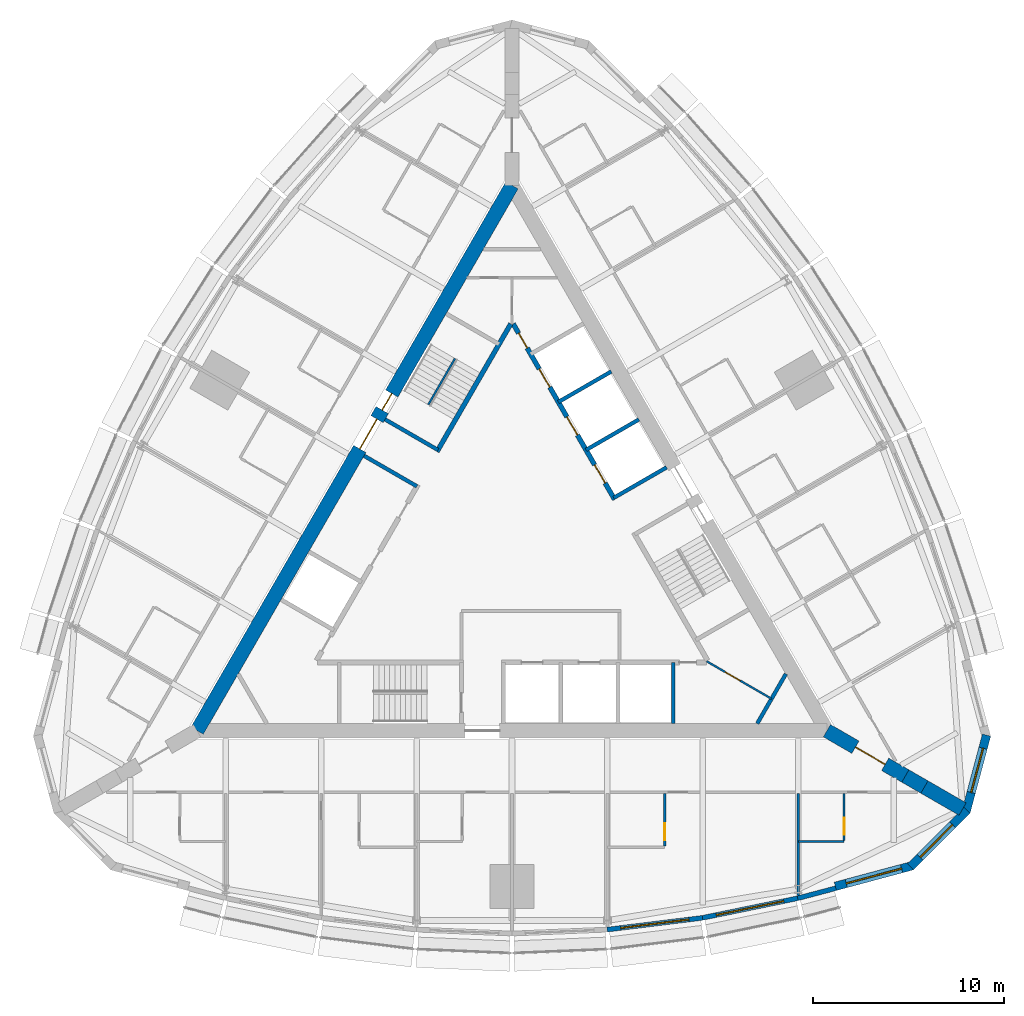
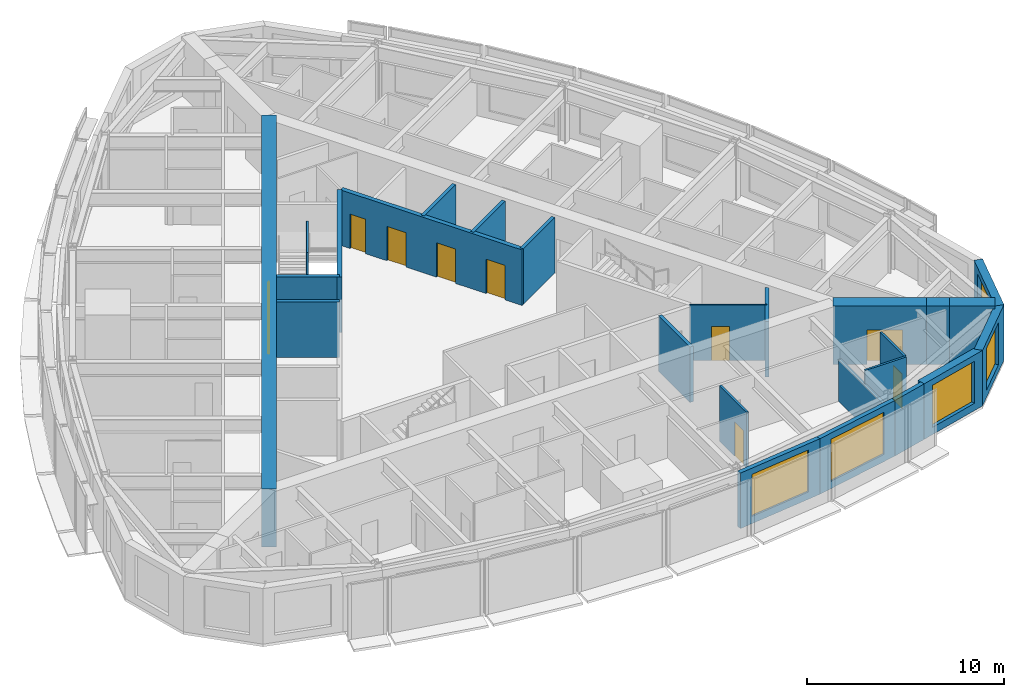
# One storey, part 11 of 15: 25 walls, 10 doors, 5 windows, 15 openings.
"""IFC4 building model written with IfcOpenShell, lengths in metres."""

from ifc_helpers import new_model, si_unit, direction, frame, frame_2d, origin, place, context, subcontext, project, spatial, polyline, rectangle, outline, extrude, material, layer, layer_set, type_object, element, fill, save


model = new_model("IFC4")

# Units and contexts
model_context = context("Model", 3, precision=1e-05, world=origin(), true_north=direction((0.0, 1.0)))
body_context = subcontext(model_context, "Body", "Model", "MODEL_VIEW")
ifc_project = project(units=[si_unit("LENGTHUNIT", "METRE"), si_unit("AREAUNIT", "SQUARE_METRE"), si_unit("VOLUMEUNIT", "CUBIC_METRE"), si_unit("PLANEANGLEUNIT", "RADIAN"), si_unit("MASSUNIT", "GRAM", prefix="KILO")], contexts=[model_context])

# Site, building, storey
site_placement = place(None, origin())
site = spatial("IfcSite", under=ifc_project, at=site_placement, CompositionType="ELEMENT")
building_placement = place(site_placement, origin())
building = spatial("IfcBuilding", under=site, at=building_placement, Name="Trikona Tower", CompositionType="ELEMENT")
storey_placement = place(building_placement, frame((0.0, 0.0, 204.5)))
storey = spatial("IfcBuildingStorey", under=building, at=storey_placement, Name="L54", CompositionType="ELEMENT", Elevation=204.5)

# Wall, opening, door
ifc_material_1 = material(Name="Metal stud and cement board", Category="gypsum")
ifc_layer_1 = layer(ifc_material_1, 0.1201171875)
ifc_layer_set_1 = layer_set([ifc_layer_1], Name="Bathroom wall 120")
wall_type_1 = type_object("IfcWallType", Name="Bathroom wall 120", PredefinedType="PLUMBINGWALL", material=ifc_layer_set_1)
wall_1_placement = place(storey_placement, frame((8.0, -12.826416015625, 0.0), z_axis=(0.0, 0.0, 1.0), x_axis=(0.0, -1.0, 0.0)))
wall_1 = element("IfcWall", 1, at=wall_1_placement, inside=storey, type_object=wall_type_1, Name="Bathroom wall 5404", PredefinedType="PLUMBINGWALL", context=body_context, shape_type="SweptSolid", body=[
    extrude(rectangle(XDim=2.739990234375, YDim=0.1201171875, at=frame_2d((1.3701171875, 0.0))), origin(), (0.0, 0.0, 1.0), 3.43505859375),
])
opening_1_placement = place(wall_1_placement, frame((1.550048828125, 0.0, 0.0)))
opening_1 = element("IfcOpeningElement", 2, at=opening_1_placement, cuts=wall_1, Name="Opening D2", PredefinedType="OPENING", context=body_context, shape_type="SweptSolid", body=[
    extrude(rectangle(XDim=0.89990234375, YDim=2.1298828125, at=frame_2d((0.449951171875, 1.06494140625))), frame((0.0, 0.070068359375, 0.0), z_axis=(0.0, -1.0, 0.0), x_axis=(1.0, 0.0, 0.0)), (0.0, 0.0, 1.0), 0.14013671875),
])
ifc_material_2 = material(Name="Steel door frame with solid-core timber leaf", Category="steel")
door_type_1 = type_object("IfcDoorType", Name="Bathroom door 900x2130", OperationType="SLIDING_TO_LEFT", PredefinedType="DOOR", material=ifc_material_2)
door_1_placement = place(opening_1_placement, origin())
door_1 = element("IfcDoor", 3, at=door_1_placement, inside=storey, type_object=door_type_1, Name="Bathroom door 5404", OperationType="SLIDING_TO_LEFT", OverallHeight=2.1298828125, OverallWidth=0.89990234375, PredefinedType="DOOR", context=body_context, shape_type="SweptSolid", body=[
    extrude(rectangle(XDim=0.89990234375, YDim=2.1298828125, at=frame_2d((0.449951171875, 1.06494140625))), frame((0.0, 0.02490234375, 0.0), z_axis=(0.0, -1.0, 0.0), x_axis=(1.0, 0.0, 0.0)), (0.0, 0.0, 1.0), 0.050048828125),
])
fill(opening_1, door_1)

# Wall
wall_2_placement = place(storey_placement, frame((15.0, -15.326416015625, 0.0), z_axis=(0.0, 0.0, 1.0), x_axis=(1.0, 0.0, 0.0)))
element("IfcWall", 4, at=wall_2_placement, inside=storey, type_object=wall_type_1, Name="Bathroom wall 5405", PredefinedType="PLUMBINGWALL", context=body_context, shape_type="SweptSolid", body=[
    extrude(rectangle(XDim=2.39990234375, YDim=0.1201171875, at=frame_2d((1.199951171875, 0.0))), origin(), (0.0, 0.0, 1.0), 3.43505859375),
])

# Wall, opening, door
wall_3_placement = place(storey_placement, frame((17.39990234375, -12.826416015625, 0.0), z_axis=(0.0, 0.0, 1.0), x_axis=(0.0, -1.0, 0.0)))
wall_3 = element("IfcWall", 5, at=wall_3_placement, inside=storey, type_object=wall_type_1, Name="Bathroom wall 5405", PredefinedType="PLUMBINGWALL", context=body_context, shape_type="SweptSolid", body=[
    extrude(rectangle(XDim=2.43994140625, YDim=0.1201171875, at=frame_2d((1.219970703125, 0.0))), origin(), (0.0, 0.0, 1.0), 3.43505859375),
])
opening_2_placement = place(wall_3_placement, frame((1.25, 0.0, 0.0)))
opening_2 = element("IfcOpeningElement", 6, at=opening_2_placement, cuts=wall_3, Name="Opening D2", PredefinedType="OPENING", context=body_context, shape_type="SweptSolid", body=[
    extrude(rectangle(XDim=0.89990234375, YDim=2.1298828125, at=frame_2d((0.449951171875, 1.06494140625))), frame((0.0, 0.070068359375, 0.0), z_axis=(0.0, -1.0, 0.0), x_axis=(1.0, 0.0, 0.0)), (0.0, 0.0, 1.0), 0.14013671875),
])
door_2_placement = place(opening_2_placement, origin())
door_2 = element("IfcDoor", 7, at=door_2_placement, inside=storey, type_object=door_type_1, Name="Bathroom door 5405", OperationType="SLIDING_TO_LEFT", OverallHeight=2.1298828125, OverallWidth=0.89990234375, PredefinedType="DOOR", context=body_context, shape_type="SweptSolid", body=[
    extrude(rectangle(XDim=0.89990234375, YDim=2.1298828125, at=frame_2d((0.449951171875, 1.06494140625))), frame((0.0, 0.02490234375, 0.0), z_axis=(0.0, -1.0, 0.0), x_axis=(1.0, 0.0, 0.0)), (0.0, 0.0, 1.0), 0.050048828125),
])
fill(opening_2, door_2)

# Wall, opening, window
ifc_material_3 = material(Name="Brick-faced precast concrete", Category="masonry")
ifc_layer_2 = layer(ifc_material_3, 0.449951171875)
ifc_layer_set_2 = layer_set([ifc_layer_2], Name="Brick-faced corner wall 450")
wall_type_2 = type_object("IfcWallType", Name="Brick-faced corner wall 450", PredefinedType="SOLIDWALL", material=ifc_layer_set_2)
wall_4_placement = place(storey_placement, frame((16.94189453125, -17.6806640625, 0.0), z_axis=(0.0, 0.0, 1.0), x_axis=(0.965920442324, 0.258839137498, 0.0)))
wall_4 = element("IfcWall", 8, at=wall_4_placement, inside=storey, type_object=wall_type_2, Name="External wall L54-08", PredefinedType="SOLIDWALL", context=body_context, shape_type="SweptSolid", body=[
    extrude(rectangle(XDim=4.18408203125, YDim=0.449951171875, at=frame_2d((2.092041015625, 0.0))), origin(), (0.0, 0.0, 1.0), 3.43505859375),
])
opening_3_placement = place(wall_4_placement, frame((0.592041015625, 0.0, 0.449951171875)))
opening_3 = element("IfcOpeningElement", 9, at=opening_3_placement, cuts=wall_4, Name="Opening W3026", PredefinedType="OPENING", context=body_context, shape_type="SweptSolid", body=[
    extrude(rectangle(XDim=3.0, YDim=2.60009765625, at=frame_2d((1.5, 1.300048828125))), frame((0.0, 0.23486328125, 0.0), z_axis=(0.0, -1.0, 0.0), x_axis=(1.0, 0.0, 0.0)), (0.0, 0.0, 1.0), 0.469970703125),
])
ifc_material_4 = material(Name="Aluminium-framed double glazing", Category="aluminium")
window_type_1 = type_object("IfcWindowType", Name="Window 3000x2600", PartitioningType="SINGLE_PANEL", PredefinedType="WINDOW", material=ifc_material_4)
window_1_placement = place(opening_3_placement, origin())
window_1 = element("IfcWindow", 10, at=window_1_placement, inside=storey, type_object=window_type_1, Name="Window 5405", OverallHeight=2.60009765625, OverallWidth=3.0, PartitioningType="SINGLE_PANEL", PredefinedType="WINDOW", context=body_context, shape_type="SweptSolid", body=[
    extrude(rectangle(XDim=3.0, YDim=2.60009765625, at=frame_2d((1.5, 1.300048828125))), frame((0.0, 0.030029296875, 0.0), z_axis=(0.0, -1.0, 0.0), x_axis=(1.0, 0.0, 0.0)), (0.0, 0.0, 1.0), 0.06005859375),
])
fill(opening_3, window_1)

wall_5_placement = place(storey_placement, frame((20.88232421875, -16.656005859375, 0.0), z_axis=(0.0, 0.0, 1.0), x_axis=(0.707077605902, 0.707135955267, 0.0)))
wall_5 = element("IfcWall", 11, at=wall_5_placement, inside=storey, type_object=wall_type_2, Name="External wall L54-09", PredefinedType="SOLIDWALL", context=body_context, shape_type="SweptSolid", body=[
    extrude(outline(polyline([(4.18408203125, 0.22509765625), (4.125244140625, 0.22509765625), (3.705322265625, 0.112548828125), (3.67529296875, 0.22509765625), (0.0, 0.22509765625), (0.0, -0.22509765625), (4.18408203125, -0.22509765625), (4.18408203125, 0.22509765625)])), origin(), (0.0, 0.0, 1.0), 3.43505859375),
])
opening_4_placement = place(wall_5_placement, frame((0.712646484375, 0.0, 0.449951171875)))
opening_4 = element("IfcOpeningElement", 12, at=opening_4_placement, cuts=wall_5, Name="Opening W2426", PredefinedType="OPENING", context=body_context, shape_type="SweptSolid", body=[
    extrude(rectangle(XDim=2.39990234375, YDim=2.60009765625, at=frame_2d((1.199951171875, 1.300048828125))), frame((0.0, 0.23486328125, 0.0), z_axis=(0.0, -1.0, 0.0), x_axis=(1.0, 0.0, 0.0)), (0.0, 0.0, 1.0), 0.469970703125),
])
ifc_material_5 = material(Name="Aluminium-framed double glazing", Category="aluminium")
window_type_2 = type_object("IfcWindowType", Name="Window 2400x2600", PartitioningType="SINGLE_PANEL", PredefinedType="WINDOW", material=ifc_material_5)
window_2_placement = place(opening_4_placement, origin())
window_2 = element("IfcWindow", 13, at=window_2_placement, inside=storey, type_object=window_type_2, Name="Window 5405", OverallHeight=2.60009765625, OverallWidth=2.39990234375, PartitioningType="SINGLE_PANEL", PredefinedType="WINDOW", context=body_context, shape_type="SweptSolid", body=[
    extrude(rectangle(XDim=2.39990234375, YDim=2.60009765625, at=frame_2d((1.199951171875, 1.300048828125))), frame((0.0, 0.030029296875, 0.0), z_axis=(0.0, -1.0, 0.0), x_axis=(1.0, 0.0, 0.0)), (0.0, 0.0, 1.0), 0.06005859375),
])
fill(opening_4, window_2)

wall_6_placement = place(storey_placement, frame((23.78271484375, -13.798095703125, 0.0), z_axis=(0.0, 0.0, 1.0), x_axis=(0.258799282522, 0.96593112144, 0.0)))
wall_6 = element("IfcWall", 14, at=wall_6_placement, inside=storey, type_object=wall_type_2, Name="External wall L54-10", PredefinedType="SOLIDWALL", context=body_context, shape_type="SweptSolid", body=[
    extrude(outline(polyline([(4.183837890625, 0.22509765625), (0.5087890625, 0.22509765625), (0.478759765625, 0.112548828125), (0.059326171875, 0.22509765625), (0.0, 0.22509765625), (0.0, -0.22509765625), (4.183837890625, -0.22509765625), (4.183837890625, 0.22509765625)])), origin(), (0.0, 0.0, 1.0), 3.43505859375),
])
opening_5_placement = place(wall_6_placement, frame((1.0712890625, 0.0, 0.449951171875)))
opening_5 = element("IfcOpeningElement", 15, at=opening_5_placement, cuts=wall_6, Name="Opening W2426", PredefinedType="OPENING", context=body_context, shape_type="SweptSolid", body=[
    extrude(rectangle(XDim=2.39990234375, YDim=2.60009765625, at=frame_2d((1.199951171875, 1.300048828125))), frame((0.0, 0.23486328125, 0.0), z_axis=(0.0, -1.0, 0.0), x_axis=(1.0, 0.0, 0.0)), (0.0, 0.0, 1.0), 0.469970703125),
])
window_3_placement = place(opening_5_placement, origin())
window_3 = element("IfcWindow", 16, at=window_3_placement, inside=storey, type_object=window_type_2, Name="Window 5406", OverallHeight=2.60009765625, OverallWidth=2.39990234375, PartitioningType="SINGLE_PANEL", PredefinedType="WINDOW", context=body_context, shape_type="SweptSolid", body=[
    extrude(rectangle(XDim=2.39990234375, YDim=2.60009765625, at=frame_2d((1.199951171875, 1.300048828125))), frame((0.0, 0.030029296875, 0.0), z_axis=(0.0, -1.0, 0.0), x_axis=(1.0, 0.0, 0.0)), (0.0, 0.0, 1.0), 0.06005859375),
])
fill(opening_5, window_3)

# Wall, opening, door
ifc_material_6 = material(Name="Concrete f'c 10000 psi", Category="concrete")
ifc_layer_3 = layer(ifc_material_6, 0.75)
ifc_layer_set_3 = layer_set([ifc_layer_3], Name="Buttress wall 750")
wall_type_3 = type_object("IfcWallType", Name="Buttress wall 750", PredefinedType="SHEAR", material=ifc_layer_set_3)
wall_7_placement = place(storey_placement, frame((16.5, -9.5263671875, 0.0), z_axis=(0.0, 0.0, 1.0), x_axis=(0.866031398331, -0.499989616998, 0.0)))
wall_7 = element("IfcWall", 17, at=wall_7_placement, inside=storey, type_object=wall_type_3, Name="Buttress wall 1", PredefinedType="SHEAR", context=body_context, shape_type="SweptSolid", body=[
    extrude(rectangle(XDim=4.74609375, YDim=0.75, at=frame_2d((2.373046875, 0.0))), origin(), (0.0, 0.0, 1.0), 3.60009765625),
])
opening_6_placement = place(wall_7_placement, frame((1.72509765625, 0.0, 0.0)))
opening_6 = element("IfcOpeningElement", 18, at=opening_6_placement, cuts=wall_7, Name="Opening D10", PredefinedType="OPENING", context=body_context, shape_type="SweptSolid", body=[
    extrude(rectangle(XDim=1.800048828125, YDim=2.1298828125, at=frame_2d((0.89990234375, 1.06494140625))), frame((0.0, 0.385009765625, 0.0), z_axis=(0.0, -1.0, 0.0), x_axis=(1.0, 0.0, 0.0)), (0.0, 0.0, 1.0), 0.77001953125),
])
ifc_material_7 = material(Name="Hollow metal door and frame", Category="steel")
door_type_2 = type_object("IfcDoorType", Name="Cross-corridor door pair 1800x2130", OperationType="DOUBLE_DOOR_DOUBLE_SWING", PredefinedType="DOOR", material=ifc_material_7)
door_3_placement = place(opening_6_placement, origin())
door_3 = element("IfcDoor", 19, at=door_3_placement, inside=storey, type_object=door_type_2, Name="Cross-corridor door 1", OperationType="DOUBLE_DOOR_DOUBLE_SWING", OverallHeight=2.1298828125, OverallWidth=1.800048828125, PredefinedType="DOOR", context=body_context, shape_type="SweptSolid", body=[
    extrude(rectangle(XDim=1.800048828125, YDim=2.1298828125, at=frame_2d((0.89990234375, 1.06494140625))), frame((0.0, 0.02490234375, 0.0), z_axis=(0.0, -1.0, 0.0), x_axis=(1.0, 0.0, 0.0)), (0.0, 0.0, 1.0), 0.050048828125),
])
fill(opening_6, door_3)

# Walls
wall_8_placement = place(storey_placement, frame((20.6103515625, -11.8994140625, 0.0), z_axis=(0.0, 0.0, 1.0), x_axis=(0.866009537788, -0.500027479704, 0.0)))
element("IfcWall", 20, at=wall_8_placement, inside=storey, type_object=wall_type_3, Name="Buttress wall 1 part 2", PredefinedType="SHEAR", context=body_context, shape_type="SweptSolid", body=[
    extrude(rectangle(XDim=1.15478515625, YDim=0.75, at=frame_2d((0.577392578125, 0.0))), origin(), (0.0, 0.0, 1.0), 3.60009765625),
])
wall_9_placement = place(storey_placement, frame((21.6103515625, -12.476806640625, 0.0), z_axis=(0.0, 0.0, 1.0), x_axis=(0.866055313784, -0.499948190782, 0.0)))
element("IfcWall", 21, at=wall_9_placement, inside=storey, type_object=wall_type_3, Name="Buttress wall 1 part 3", PredefinedType="SHEAR", context=body_context, shape_type="SweptSolid", body=[
    extrude(rectangle(XDim=2.309326171875, YDim=0.75, at=frame_2d((1.15478515625, 0.0))), origin(), (0.0, 0.0, 1.0), 3.60009765625),
])

# Wall, openings, doors
ifc_material_8 = material(Name="Concrete f'c 10000 psi", Category="concrete")
ifc_layer_4 = layer(ifc_material_8, 0.75)
ifc_layer_set_4 = layer_set([ifc_layer_4], Name="Core wall 750")
wall_type_4 = type_object("IfcWallType", Name="Core wall 750", PredefinedType="SHEAR", material=ifc_layer_set_4)
wall_10_placement = place(storey_placement, frame((0.0, 19.052490234375, 0.0), z_axis=(0.0, 0.0, 1.0), x_axis=(-0.499999749417, -0.866025548458, 0.0)))
wall_10 = element("IfcWall", 22, at=wall_10_placement, inside=storey, type_object=wall_type_4, Name="Core wall C", PredefinedType="SHEAR", context=body_context, shape_type="SweptSolid", body=[
    extrude(rectangle(XDim=33.0, YDim=0.75, at=frame_2d((16.5, 0.0))), origin(), (0.0, 0.0, 1.0), 3.60009765625),
])
opening_7_placement = place(wall_10_placement, frame((14.14990234375, 0.0, 0.0)))
opening_7 = element("IfcOpeningElement", 23, at=opening_7_placement, cuts=wall_10, Name="Opening D6", PredefinedType="OPENING", context=body_context, shape_type="SweptSolid", body=[
    extrude(rectangle(XDim=1.800048828125, YDim=2.1298828125, at=frame_2d((0.89990234375, 1.06494140625))), frame((0.0, 0.385009765625, 0.0), z_axis=(0.0, -1.0, 0.0), x_axis=(1.0, 0.0, 0.0)), (0.0, 0.0, 1.0), 0.77001953125),
])
opening_8_placement = place(wall_10_placement, frame((12.60009765625, 0.0, 0.0)))
opening_8 = element("IfcOpeningElement", 24, at=opening_8_placement, cuts=wall_10, Name="Opening D5", PredefinedType="OPENING", context=body_context, shape_type="SweptSolid", body=[
    extrude(rectangle(XDim=1.0, YDim=2.1298828125, at=frame_2d((0.5, 1.06494140625))), frame((0.0, 0.385009765625, 0.0), z_axis=(0.0, -1.0, 0.0), x_axis=(1.0, 0.0, 0.0)), (0.0, 0.0, 1.0), 0.77001953125),
])
ifc_material_9 = material(Name="Hollow metal door and frame", Category="steel")
door_type_3 = type_object("IfcDoorType", Name="Lobby door pair 1800x2130", OperationType="DOUBLE_DOOR_SINGLE_SWING", PredefinedType="DOOR", material=ifc_material_9)
door_4_placement = place(opening_7_placement, origin())
door_4 = element("IfcDoor", 25, at=door_4_placement, inside=storey, type_object=door_type_3, Name="Lift lobby door C", OperationType="DOUBLE_DOOR_SINGLE_SWING", OverallHeight=2.1298828125, OverallWidth=1.800048828125, PredefinedType="DOOR", context=body_context, shape_type="SweptSolid", body=[
    extrude(rectangle(XDim=1.800048828125, YDim=2.1298828125, at=frame_2d((0.89990234375, 1.06494140625))), frame((0.0, 0.02490234375, 0.0), z_axis=(0.0, -1.0, 0.0), x_axis=(1.0, 0.0, 0.0)), (0.0, 0.0, 1.0), 0.050048828125),
])
fill(opening_7, door_4)
ifc_material_10 = material(Name="Hollow metal door and frame", Category="steel")
door_type_4 = type_object("IfcDoorType", Name="Stair door 1000x2130", OperationType="SINGLE_SWING_LEFT", PredefinedType="DOOR", material=ifc_material_10)
door_5_placement = place(opening_8_placement, origin())
door_5 = element("IfcDoor", 26, at=door_5_placement, inside=storey, type_object=door_type_4, Name="Stair C door", OperationType="SINGLE_SWING_RIGHT", OverallHeight=2.1298828125, OverallWidth=1.0, PredefinedType="DOOR", context=body_context, shape_type="SweptSolid", body=[
    extrude(rectangle(XDim=1.0, YDim=2.1298828125, at=frame_2d((0.5, 1.06494140625))), frame((0.0, 0.02490234375, 0.0), z_axis=(0.0, -1.0, 0.0), x_axis=(1.0, 0.0, 0.0)), (0.0, 0.0, 1.0), 0.050048828125),
])
fill(opening_8, door_5)

ifc_material_11 = material(Name="Concrete f'c 8000 psi", Category="concrete")
ifc_layer_5 = layer(ifc_material_11, 0.25)
ifc_layer_set_5 = layer_set([ifc_layer_5], Name="Hub wall 250")
wall_type_5 = type_object("IfcWallType", Name="Hub wall 250", PredefinedType="SOLIDWALL", material=ifc_layer_set_5)
wall_11_placement = place(storey_placement, frame((5.37890625, 2.5859375, 0.0), z_axis=(0.0, 0.0, 1.0), x_axis=(-0.500001375892, 0.866024609411, 0.0)))
wall_11 = element("IfcWall", 27, at=wall_11_placement, inside=storey, type_object=wall_type_5, Name="Lift lobby wall B2", PredefinedType="SOLIDWALL", context=body_context, shape_type="SweptSolid", body=[
    extrude(rectangle(XDim=10.6328125, YDim=0.25, at=frame_2d((5.31640625, 0.0))), origin(), (0.0, 0.0, 1.0), 3.43505859375),
])
opening_9_placement = place(wall_11_placement, frame((9.1640625, 0.0, 0.0)))
opening_9 = element("IfcOpeningElement", 28, at=opening_9_placement, cuts=wall_11, Name="Opening D14", PredefinedType="OPENING", context=body_context, shape_type="SweptSolid", body=[
    extrude(rectangle(XDim=0.89990234375, YDim=2.1298828125, at=frame_2d((0.449951171875, 1.06494140625))), frame((0.0, 0.135009765625, 0.0), z_axis=(0.0, -1.0, 0.0), x_axis=(1.0, 0.0, 0.0)), (0.0, 0.0, 1.0), 0.27001953125),
])
opening_10_placement = place(wall_11_placement, frame((1.0, 0.0, 0.0)))
opening_10 = element("IfcOpeningElement", 29, at=opening_10_placement, cuts=wall_11, Name="Opening LD", PredefinedType="OPENING", context=body_context, shape_type="SweptSolid", body=[
    extrude(rectangle(XDim=1.10009765625, YDim=2.1298828125, at=frame_2d((0.550048828125, 1.06494140625))), frame((0.0, 0.135009765625, 0.0), z_axis=(0.0, -1.0, 0.0), x_axis=(1.0, 0.0, 0.0)), (0.0, 0.0, 1.0), 0.27001953125),
])
opening_11_placement = place(wall_11_placement, frame((3.89990234375, 0.0, 0.0)))
opening_11 = element("IfcOpeningElement", 30, at=opening_11_placement, cuts=wall_11, Name="Opening LD", PredefinedType="OPENING", context=body_context, shape_type="SweptSolid", body=[
    extrude(rectangle(XDim=1.10009765625, YDim=2.1298828125, at=frame_2d((0.550048828125, 1.06494140625))), frame((0.0, 0.135009765625, 0.0), z_axis=(0.0, -1.0, 0.0), x_axis=(1.0, 0.0, 0.0)), (0.0, 0.0, 1.0), 0.27001953125),
])
opening_12_placement = place(wall_11_placement, frame((6.800048828125, 0.0, 0.0)))
opening_12 = element("IfcOpeningElement", 31, at=opening_12_placement, cuts=wall_11, Name="Opening LD", PredefinedType="OPENING", context=body_context, shape_type="SweptSolid", body=[
    extrude(rectangle(XDim=1.10009765625, YDim=2.1298828125, at=frame_2d((0.550048828125, 1.06494140625))), frame((0.0, 0.135009765625, 0.0), z_axis=(0.0, -1.0, 0.0), x_axis=(1.0, 0.0, 0.0)), (0.0, 0.0, 1.0), 0.27001953125),
])
ifc_material_12 = material(Name="Stainless steel lift landing door", Category="steel")
door_type_5 = type_object("IfcDoorType", Name="Lift landing door 1100x2130", OperationType="DOUBLE_DOOR_SLIDING", PredefinedType="USERDEFINED", material=ifc_material_12)
door_6_placement = place(opening_10_placement, origin())
door_6 = element("IfcDoor", 32, at=door_6_placement, inside=storey, type_object=door_type_5, Name="Lift landing door L3-1", ObjectType="LIFT LANDING DOOR", OperationType="DOUBLE_DOOR_SLIDING", OverallHeight=2.1298828125, OverallWidth=1.10009765625, PredefinedType="USERDEFINED", context=body_context, shape_type="SweptSolid", body=[
    extrude(rectangle(XDim=1.10009765625, YDim=2.1298828125, at=frame_2d((0.550048828125, 1.06494140625))), frame((0.0, 0.02490234375, 0.0), z_axis=(0.0, -1.0, 0.0), x_axis=(1.0, 0.0, 0.0)), (0.0, 0.0, 1.0), 0.050048828125),
])
fill(opening_10, door_6)
door_7_placement = place(opening_11_placement, origin())
door_7 = element("IfcDoor", 33, at=door_7_placement, inside=storey, type_object=door_type_5, Name="Lift landing door L3-2", ObjectType="LIFT LANDING DOOR", OperationType="DOUBLE_DOOR_SLIDING", OverallHeight=2.1298828125, OverallWidth=1.10009765625, PredefinedType="USERDEFINED", context=body_context, shape_type="SweptSolid", body=[
    extrude(rectangle(XDim=1.10009765625, YDim=2.1298828125, at=frame_2d((0.550048828125, 1.06494140625))), frame((0.0, 0.02490234375, 0.0), z_axis=(0.0, -1.0, 0.0), x_axis=(1.0, 0.0, 0.0)), (0.0, 0.0, 1.0), 0.050048828125),
])
fill(opening_11, door_7)
door_8_placement = place(opening_12_placement, origin())
door_8 = element("IfcDoor", 34, at=door_8_placement, inside=storey, type_object=door_type_5, Name="Lift landing door L3-3", ObjectType="LIFT LANDING DOOR", OperationType="DOUBLE_DOOR_SLIDING", OverallHeight=2.1298828125, OverallWidth=1.10009765625, PredefinedType="USERDEFINED", context=body_context, shape_type="SweptSolid", body=[
    extrude(rectangle(XDim=1.10009765625, YDim=2.1298828125, at=frame_2d((0.550048828125, 1.06494140625))), frame((0.0, 0.02490234375, 0.0), z_axis=(0.0, -1.0, 0.0), x_axis=(1.0, 0.0, 0.0)), (0.0, 0.0, 1.0), 0.050048828125),
])
fill(opening_12, door_8)
ifc_material_13 = material(Name="Hollow metal door and frame", Category="steel")
door_type_6 = type_object("IfcDoorType", Name="Service room door 900x2130", OperationType="SINGLE_SWING_LEFT", PredefinedType="DOOR", material=ifc_material_13)
door_9_placement = place(opening_9_placement, origin())
door_9 = element("IfcDoor", 35, at=door_9_placement, inside=storey, type_object=door_type_6, Name="Door Housekeeping store HKS", OperationType="SINGLE_SWING_RIGHT", OverallHeight=2.1298828125, OverallWidth=0.89990234375, PredefinedType="DOOR", context=body_context, shape_type="SweptSolid", body=[
    extrude(rectangle(XDim=0.89990234375, YDim=2.1298828125, at=frame_2d((0.449951171875, 1.06494140625))), frame((0.0, 0.02490234375, 0.0), z_axis=(0.0, -1.0, 0.0), x_axis=(1.0, 0.0, 0.0)), (0.0, 0.0, 1.0), 0.050048828125),
])
fill(opening_9, door_9)

# Wall
wall_12_placement = place(storey_placement, frame((-0.0625, 11.794189453125, 0.0), z_axis=(0.0, 0.0, 1.0), x_axis=(-0.500006680225, -0.86602154692, 0.0)))
element("IfcWall", 36, at=wall_12_placement, inside=storey, type_object=wall_type_5, Name="Lift lobby wall C1", PredefinedType="SOLIDWALL", context=body_context, shape_type="SweptSolid", body=[
    extrude(rectangle(XDim=7.73291015625, YDim=0.25, at=frame_2d((3.866455078125, 0.0))), origin(), (0.0, 0.0, 1.0), 3.43505859375),
])

# Wall, opening, window
ifc_material_14 = material(Name="Insulated precast concrete spandrel panel", Category="concrete")
ifc_layer_6 = layer(ifc_material_14, 0.25)
ifc_layer_set_6 = layer_set([ifc_layer_6], Name="Inner skin wall 250")
wall_type_6 = type_object("IfcWallType", Name="Inner skin wall 250", PredefinedType="STANDARD", material=ifc_layer_set_6)
wall_13_placement = place(storey_placement, frame((4.984619140625, -19.947998046875, 0.0), z_axis=(0.0, 0.0, 1.0), x_axis=(0.992449874964, 0.12265090984, 0.0)))
wall_13 = element("IfcWall", 37, at=wall_13_placement, inside=storey, type_object=wall_type_6, Name="External wall L54-05", PredefinedType="STANDARD", context=body_context, shape_type="SweptSolid", body=[
    extrude(rectangle(XDim=5.0380859375, YDim=0.25, at=frame_2d((2.51904296875, 0.0))), origin(), (0.0, 0.0, 1.0), 3.43505859375),
])
opening_13_placement = place(wall_13_placement, frame((0.718994140625, 0.0, 0.449951171875)))
opening_13 = element("IfcOpeningElement", 38, at=opening_13_placement, cuts=wall_13, Name="Opening W3626", PredefinedType="OPENING", context=body_context, shape_type="SweptSolid", body=[
    extrude(rectangle(XDim=3.60009765625, YDim=2.60009765625, at=frame_2d((1.800048828125, 1.300048828125))), frame((0.0, 0.135009765625, 0.0), z_axis=(0.0, -1.0, 0.0), x_axis=(1.0, 0.0, 0.0)), (0.0, 0.0, 1.0), 0.27001953125),
])
ifc_material_15 = material(Name="Aluminium-framed double glazing", Category="aluminium")
window_type_3 = type_object("IfcWindowType", Name="Window 3600x2600", PartitioningType="SINGLE_PANEL", PredefinedType="WINDOW", material=ifc_material_15)
window_4_placement = place(opening_13_placement, origin())
window_4 = element("IfcWindow", 39, at=window_4_placement, inside=storey, type_object=window_type_3, Name="Window 5404", OverallHeight=2.60009765625, OverallWidth=3.60009765625, PartitioningType="SINGLE_PANEL", PredefinedType="WINDOW", context=body_context, shape_type="SweptSolid", body=[
    extrude(rectangle(XDim=3.60009765625, YDim=2.60009765625, at=frame_2d((1.800048828125, 1.300048828125))), frame((0.0, 0.030029296875, 0.0), z_axis=(0.0, -1.0, 0.0), x_axis=(1.0, 0.0, 0.0)), (0.0, 0.0, 1.0), 0.06005859375),
])
fill(opening_13, window_4)

wall_14_placement = place(storey_placement, frame((9.974853515625, -19.331787109375, 0.0), z_axis=(0.0, 0.0, 1.0), x_axis=(0.979461488189, 0.201631329795, 0.0)))
wall_14 = element("IfcWall", 40, at=wall_14_placement, inside=storey, type_object=wall_type_6, Name="External wall L54-06", PredefinedType="STANDARD", context=body_context, shape_type="SweptSolid", body=[
    extrude(rectangle(XDim=5.104736328125, YDim=0.25, at=frame_2d((2.55224609375, 0.0))), origin(), (0.0, 0.0, 1.0), 3.43505859375),
])
opening_14_placement = place(wall_14_placement, frame((0.75244140625, 0.0, 0.449951171875)))
opening_14 = element("IfcOpeningElement", 41, at=opening_14_placement, cuts=wall_14, Name="Opening W3626", PredefinedType="OPENING", context=body_context, shape_type="SweptSolid", body=[
    extrude(rectangle(XDim=3.60009765625, YDim=2.60009765625, at=frame_2d((1.800048828125, 1.300048828125))), frame((0.0, 0.135009765625, 0.0), z_axis=(0.0, -1.0, 0.0), x_axis=(1.0, 0.0, 0.0)), (0.0, 0.0, 1.0), 0.27001953125),
])
window_5_placement = place(opening_14_placement, origin())
window_5 = element("IfcWindow", 42, at=window_5_placement, inside=storey, type_object=window_type_3, Name="Window 5404", OverallHeight=2.60009765625, OverallWidth=3.60009765625, PartitioningType="SINGLE_PANEL", PredefinedType="WINDOW", context=body_context, shape_type="SweptSolid", body=[
    extrude(rectangle(XDim=3.60009765625, YDim=2.60009765625, at=frame_2d((1.800048828125, 1.300048828125))), frame((0.0, 0.030029296875, 0.0), z_axis=(0.0, -1.0, 0.0), x_axis=(1.0, 0.0, 0.0)), (0.0, 0.0, 1.0), 0.06005859375),
])
fill(opening_14, window_5)

# Walls
wall_15_placement = place(storey_placement, frame((14.968017578125, -18.303955078125, 0.0), z_axis=(0.0, 0.0, 1.0), x_axis=(0.967010286052, 0.254737328772, 0.0)))
element("IfcWall", 43, at=wall_15_placement, inside=storey, type_object=wall_type_6, Name="External wall L54-07", PredefinedType="STANDARD", context=body_context, shape_type="SweptSolid", body=[
    extrude(rectangle(XDim=2.068115234375, YDim=0.25, at=frame_2d((1.0341796875, 0.0))), origin(), (0.0, 0.0, 1.0), 3.43505859375),
])
ifc_material_16 = material(Name="Metal stud and gypsum board, 1-hour acoustic", Category="gypsum")
ifc_layer_7 = layer(ifc_material_16, 0.14990234375)
ifc_layer_set_7 = layer_set([ifc_layer_7], Name="Party wall 150")
wall_type_7 = type_object("IfcWallType", Name="Party wall 150", PredefinedType="PARTITIONING", material=ifc_layer_set_7)
wall_16_placement = place(storey_placement, frame((15.0, -12.826416015625, 0.0), z_axis=(0.0, 0.0, 1.0), x_axis=(0.0, -1.0, 0.0)))
element("IfcWall", 44, at=wall_16_placement, inside=storey, type_object=wall_type_7, Name="Partition L54 F1 u15", PredefinedType="PARTITIONING", context=body_context, shape_type="SweptSolid", body=[
    extrude(rectangle(XDim=5.340087890625, YDim=0.14990234375, at=frame_2d((2.669921875, 0.0))), origin(), (0.0, 0.0, 1.0), 2.589111328125),
])
ifc_material_17 = material(Name="Concrete f'c 8000 psi", Category="concrete")
ifc_layer_8 = layer(ifc_material_17, 0.199951171875)
ifc_layer_set_8 = layer_set([ifc_layer_8], Name="Shaft wall 200")
wall_type_8 = type_object("IfcWallType", Name="Shaft wall 200", PredefinedType="SOLIDWALL", material=ifc_layer_set_8)
wall_17_placement = place(storey_placement, frame((8.449951171875, -5.951416015625, 0.0), z_axis=(0.0, 0.0, 1.0), x_axis=(0.0, -1.0, 0.0)))
element("IfcWall", 45, at=wall_17_placement, inside=storey, type_object=wall_type_8, Name="Shaft wall A6", PredefinedType="SOLIDWALL", context=body_context, shape_type="SweptSolid", body=[
    extrude(rectangle(XDim=3.199951171875, YDim=0.199951171875, at=frame_2d((1.60009765625, 0.0))), origin(), (0.0, 0.0, 1.0), 3.43505859375),
])
wall_18_placement = place(storey_placement, frame((5.3291015625, 2.672607421875, 0.0), z_axis=(0.0, 0.0, 1.0), x_axis=(0.866022944154, 0.50000426018, 0.0)))
element("IfcWall", 46, at=wall_18_placement, inside=storey, type_object=wall_type_8, Name="Shaft wall B3", PredefinedType="SOLIDWALL", context=body_context, shape_type="SweptSolid", body=[
    extrude(rectangle(XDim=3.19970703125, YDim=0.199951171875, at=frame_2d((1.599853515625, 0.0))), origin(), (0.0, 0.0, 1.0), 3.43505859375),
])
for number, where, z_axis, x_axis, name in (
    (47, (3.87890625, 5.18408203125, 0.0), (0.0, 0.0, 1.0), (0.866042017984, 0.499971222258, 0.0), "Shaft wall B4"),
    (48, (2.428955078125, 7.695556640625, 0.0), (0.0, 0.0, 1.0), (0.866042017984, 0.499971222258, 0.0), "Shaft wall B5"),
    (49, (-4.97900390625, 3.27880859375, 0.0), (0.0, 0.0, 1.0), (-0.866042017984, 0.499971222258, 0.0), "Shaft wall C3"),
):
    element("IfcWall", number, at=place(storey_placement, frame(where, z_axis=z_axis, x_axis=x_axis)), inside=storey, type_object=wall_type_8, Name=name, PredefinedType="SOLIDWALL", context=body_context, shape_type="SweptSolid", body=[
        extrude(rectangle(XDim=3.199951171875, YDim=0.199951171875, at=frame_2d((1.60009765625, 0.0))), origin(), (0.0, 0.0, 1.0), 3.43505859375),
    ])
wall_19_placement = place(storey_placement, frame((14.349365234375, -6.55126953125, 0.0), z_axis=(0.0, 0.0, 1.0), x_axis=(-0.499952404951, -0.866052881055, 0.0)))
element("IfcWall", 50, at=wall_19_placement, inside=storey, type_object=wall_type_8, Name="Riser wall L54-RS1", PredefinedType="SOLIDWALL", context=body_context, shape_type="SweptSolid", body=[
    extrude(rectangle(XDim=3.002197265625, YDim=0.199951171875, at=frame_2d((1.5009765625, 0.0))), origin(), (0.0, 0.0, 1.0), 3.43505859375),
])
ifc_material_18 = material(Name="Concrete f'c 8000 psi", Category="concrete")
ifc_layer_9 = layer(ifc_material_18, 0.199951171875)
ifc_layer_set_9 = layer_set([ifc_layer_9], Name="Shaft wall 200 load-bearing")
wall_type_9 = type_object("IfcWallType", Name="Shaft wall 200 load-bearing", PredefinedType="SOLIDWALL", material=ifc_layer_set_9)
wall_20_placement = place(storey_placement, frame((-3.87890625, 5.18408203125, 0.0), z_axis=(0.0, 0.0, 1.0), x_axis=(-0.866042017984, 0.499971222258, 0.0)))
element("IfcWall", 51, at=wall_20_placement, inside=storey, type_object=wall_type_9, Name="Shaft wall C2", PredefinedType="SOLIDWALL", context=body_context, shape_type="SweptSolid", body=[
    extrude(rectangle(XDim=3.199951171875, YDim=0.199951171875, at=frame_2d((1.60009765625, 0.0))), origin(), (0.0, 0.0, 1.0), 3.43505859375),
])
ifc_material_19 = material(Name="Concrete f'c 5000 psi", Category="concrete")
ifc_layer_10 = layer(ifc_material_19, 0.10009765625)
ifc_layer_set_10 = layer_set([ifc_layer_10], Name="Stair spine wall 100")
wall_type_10 = type_object("IfcWallType", Name="Stair spine wall 100", PredefinedType="SOLIDWALL", material=ifc_layer_set_10)
wall_21_placement = place(storey_placement, frame((-2.98779296875, 9.9775390625, 0.0), z_axis=(0.0, 0.0, 1.0), x_axis=(-0.499992232847, -0.866029888106, 0.0)))
element("IfcWall", 52, at=wall_21_placement, inside=storey, type_object=wall_type_10, Name="Stair C spine wall L54", PredefinedType="SOLIDWALL", context=body_context, shape_type="SweptSolid", body=[
    extrude(rectangle(XDim=2.7939453125, YDim=0.10009765625, at=frame_2d((1.39697265625, 0.0))), origin(), (0.0, 0.0, 1.0), 3.60009765625),
])

# Wall, opening, door
ifc_material_20 = material(Name="Metal stud and gypsum board, acoustic", Category="gypsum")
ifc_layer_11 = layer(ifc_material_20, 0.10009765625)
ifc_layer_set_11 = layer_set([ifc_layer_11], Name="Suite partition 100")
wall_type_11 = type_object("IfcWallType", Name="Suite partition 100", PredefinedType="PARTITIONING", material=ifc_layer_set_11)
wall_22_placement = place(storey_placement, frame((13.598876953125, -7.851318359375, 0.0), z_axis=(0.0, 0.0, 1.0), x_axis=(-0.866026081073, 0.499998826899, 0.0)))
wall_22 = element("IfcWall", 53, at=wall_22_placement, inside=storey, type_object=wall_type_11, Name="Store partition L54-RS1", PredefinedType="PARTITIONING", context=body_context, shape_type="SweptSolid", body=[
    extrude(rectangle(XDim=3.92529296875, YDim=0.10009765625, at=frame_2d((1.962646484375, 0.0))), origin(), (0.0, 0.0, 1.0), 3.43505859375),
])
opening_15_placement = place(wall_22_placement, frame((1.905029296875, 0.0, 0.0)))
opening_15 = element("IfcOpeningElement", 54, at=opening_15_placement, cuts=wall_22, Name="Opening D15", PredefinedType="OPENING", context=body_context, shape_type="SweptSolid", body=[
    extrude(rectangle(XDim=0.89990234375, YDim=2.1298828125, at=frame_2d((0.449951171875, 1.06494140625))), frame((0.0, 0.06005859375, 0.0), z_axis=(0.0, -1.0, 0.0), x_axis=(1.0, 0.0, 0.0)), (0.0, 0.0, 1.0), 0.1201171875),
])
ifc_material_21 = material(Name="Steel door frame with solid-core timber leaf", Category="steel")
door_type_7 = type_object("IfcDoorType", Name="Store door 900x2130", OperationType="SINGLE_SWING_LEFT", PredefinedType="DOOR", material=ifc_material_21)
door_10_placement = place(opening_15_placement, origin())
door_10 = element("IfcDoor", 55, at=door_10_placement, inside=storey, type_object=door_type_7, Name="Door Minibar store MBS", OperationType="SINGLE_SWING_RIGHT", OverallHeight=2.1298828125, OverallWidth=0.89990234375, PredefinedType="DOOR", context=body_context, shape_type="SweptSolid", body=[
    extrude(rectangle(XDim=0.89990234375, YDim=2.1298828125, at=frame_2d((0.449951171875, 1.06494140625))), frame((0.0, 0.02490234375, 0.0), z_axis=(0.0, -1.0, 0.0), x_axis=(1.0, 0.0, 0.0)), (0.0, 0.0, 1.0), 0.050048828125),
])
fill(opening_15, door_10)

save(model, "model.ifc")
